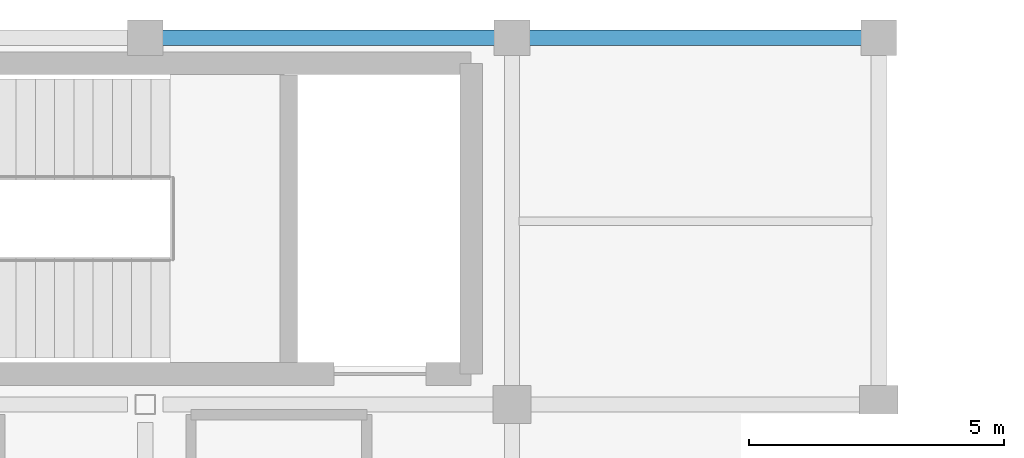
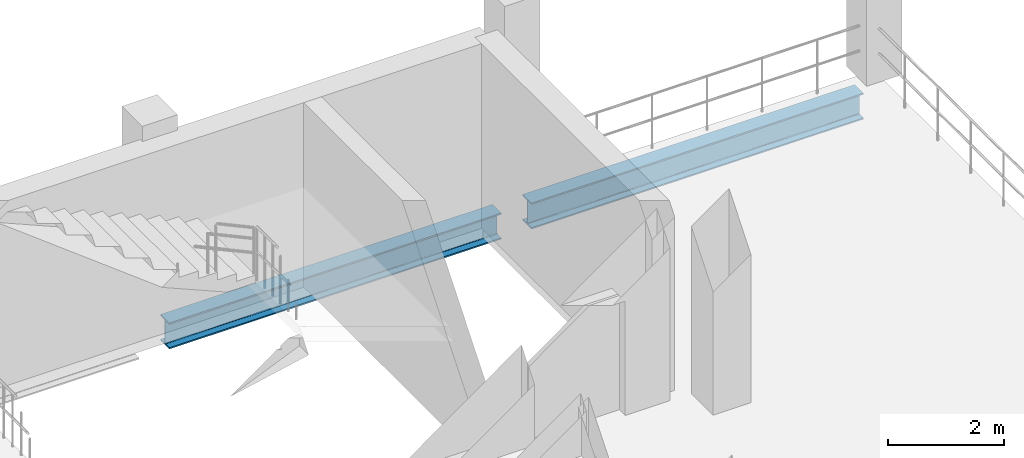
# One storey, part 89 of 130: 2 beams.
"""IFC4 building model written with IfcOpenShell, lengths in metres."""

from ifc_helpers import new_model, si_unit, direction, frame, origin, origin_2d, place, context, subcontext, project, spatial, i_section, extrude, material, material_profile, profile_set, type_object, element, save


model = new_model("IFC4")

# Units and contexts
model_context = context("Model", 3, precision=1e-05, world=origin(), true_north=direction((0.0, 1.0)))
body_context = subcontext(model_context, "Body", "Model", "MODEL_VIEW")
ifc_project = project(units=[si_unit("LENGTHUNIT", "METRE"), si_unit("AREAUNIT", "SQUARE_METRE"), si_unit("VOLUMEUNIT", "CUBIC_METRE"), si_unit("PLANEANGLEUNIT", "RADIAN"), si_unit("MASSUNIT", "GRAM", prefix="KILO")], contexts=[model_context])

# Site, building, storey
site_placement = place(None, origin())
site = spatial("IfcSite", under=ifc_project, at=site_placement, CompositionType="ELEMENT")
building_placement = place(site_placement, origin())
building = spatial("IfcBuilding", under=site, at=building_placement, Name="Qandorah Velis Arena", CompositionType="ELEMENT")
storey_placement = place(building_placement, frame((0.0, 0.0, 9.60009765625)))
storey = spatial("IfcBuildingStorey", under=building, at=storey_placement, Name="L02", CompositionType="ELEMENT", Elevation=9.60009765625)

# Beams
ifc_material = material(Name="Steel S355", Category="steel")
ifc_material_profile = material_profile(ifc_material, i_section(OverallWidth=0.300048828125, OverallDepth=0.550048828125, WebThickness=0.014892578125, FlangeThickness=0.029052734375, FilletRadius=0.027099609375, at=origin_2d()), Name="HEB 550")
ifc_profile_set = profile_set([ifc_material_profile], Name="Steel S355")
beam_type = type_object("IfcBeamType", Name="STR-BM-HEB550", PredefinedType="BEAM", material=ifc_profile_set)
for number, where, z_axis, x_axis, name in (
    (1, (101.10009765625, 129.60009765625, -0.55517578125), (1.0, 0.0, 0.0), (0.0, 1.0, 0.0), "Primary floor girder L02 X-182"),
    (2, (108.300048828125, 129.60009765625, -0.55517578125), (1.0, 0.0, 0.0), (0.0, 1.0, 0.0), "Primary floor girder L02 X-183"),
):
    element("IfcBeam", number, at=place(storey_placement, frame(where, z_axis=z_axis, x_axis=x_axis)), inside=storey, type_object=beam_type, Name=name, PredefinedType="BEAM", context=body_context, shape_type="SweptSolid", body=[
        extrude(i_section(OverallWidth=0.300048828125, OverallDepth=0.550048828125, WebThickness=0.014892578125, FlangeThickness=0.029052734375, FilletRadius=0.027099609375, at=origin_2d()), origin(), (0.0, 0.0, 1.0), 6.599853515625),
    ])

save(model, "model.ifc")
